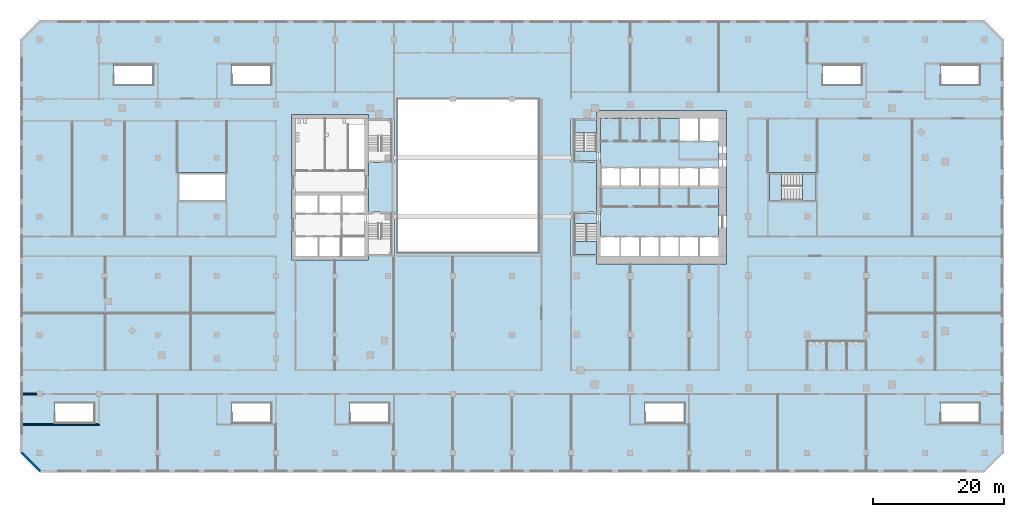
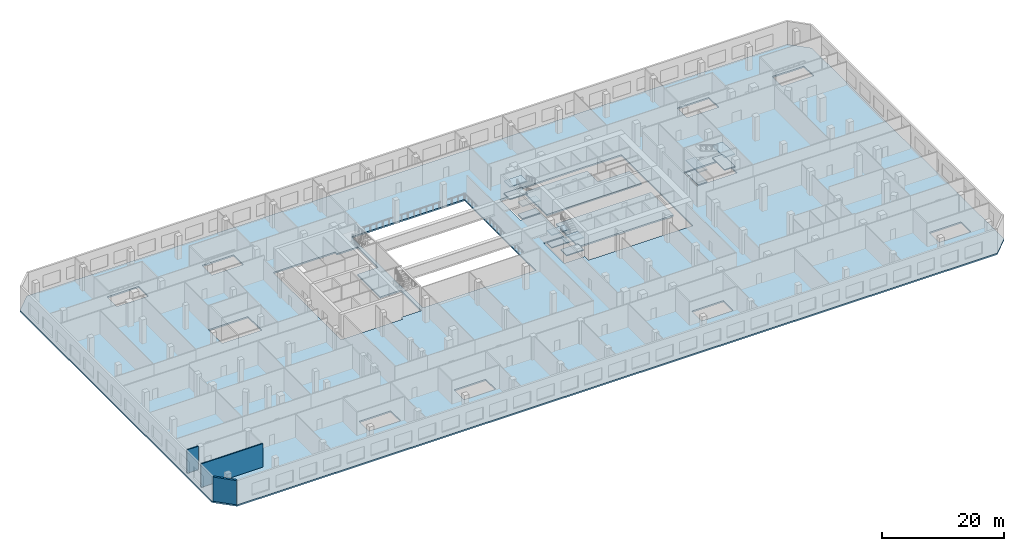
# One storey, part 3 of 20: 15 slabs, 3 walls, 3 elements without a shape of their own.
"""IFC4 building model written with IfcOpenShell, lengths in metres."""

import ifcopenshell
import ifcopenshell.guid

model = None  # the IFC model being written
_history = None  # IfcOwnerHistory: only IFC2X3 demands one
_inside = {}  # id of a spatial element -> (the spatial element, [elements in it])
_under = {}  # id of a project, library or spatial element -> (it, [spatial elements below it])
_declared = {}  # id of a project -> (the project, [libraries it declares])
_typed = {}  # id of a type object -> (the type object, [elements of that type])
_made_of = {}  # id of a material, layer set ... -> (it, [elements and type objects made of it])


def new_model(schema):
    """Start an empty IFC model of exactly this schema.

    Asked for "IFC4X3", IfcOpenShell would pick the latest addendum, in which some entities
    have other attributes; the version numbers below select the first issue.
    IFC2X3 requires an IfcOwnerHistory on every rooted entity: one is made here for all.
    """
    global model, _history
    if schema == "IFC4X3":
        model = ifcopenshell.file(schema_version=(4, 3, 0, 0))
    else:
        model = ifcopenshell.file(schema=schema)
    _inside.clear()
    _under.clear()
    _declared.clear()
    _typed.clear()
    _made_of.clear()
    _history = None
    if model.schema == "IFC2X3":
        org = make("IfcOrganization", Name="unknown")
        user = make(
            "IfcPersonAndOrganization",
            ThePerson=make("IfcPerson", FamilyName="unknown"),
            TheOrganization=org,
        )
        app = make(
            "IfcApplication",
            ApplicationDeveloper=org,
            Version="unknown",
            ApplicationFullName="unknown",
            ApplicationIdentifier="unknown",
        )
        _history = make(
            "IfcOwnerHistory",
            OwningUser=user,
            OwningApplication=app,
            ChangeAction="ADDED",
            CreationDate=0,
        )
    return model


def make(cls, **values):
    """One entity of the class cls with the attributes given. An attribute that is None is left unset."""
    return model.create_entity(
        cls, **{name: value for name, value in values.items() if value is not None}
    )


def rooted(cls, **values):
    """An entity with a GlobalId (a new one), such as an element, a storey or a relation."""
    return make(cls, GlobalId=ifcopenshell.guid.new(), OwnerHistory=_history, **values)


def si_unit(unit_type, name, prefix=None):
    """IfcSIUnit, for example si_unit("LENGTHUNIT", "METRE", prefix="MILLI")."""
    return make("IfcSIUnit", UnitType=unit_type, Prefix=prefix, Name=name)


def assignment(units):
    """IfcUnitAssignment: the units of a project."""
    return None if units is None else make("IfcUnitAssignment", Units=units)


def point(xyz):
    """IfcCartesianPoint."""
    return None if xyz is None else make("IfcCartesianPoint", Coordinates=xyz)


def direction(xyz):
    """IfcDirection."""
    return None if xyz is None else make("IfcDirection", DirectionRatios=xyz)


def frame(location, z_axis=None, x_axis=None):
    """IfcAxis2Placement3D, a coordinate frame: its origin and axes. An axis left out is left unset."""
    return make(
        "IfcAxis2Placement3D",
        Location=point(location),
        Axis=direction(z_axis),
        RefDirection=direction(x_axis),
    )


def frame_2d(location, x_axis=None):
    """IfcAxis2Placement2D, a coordinate frame in the plane: its origin and x axis."""
    return make(
        "IfcAxis2Placement2D", Location=point(location), RefDirection=direction(x_axis)
    )


def origin():
    """The frame at (0, 0, 0) with its axes left unset."""
    return frame((0.0, 0.0, 0.0))


def place(relative_to, where):
    """IfcLocalPlacement: puts the frame where relative to a parent placement (None: the world)."""
    return make(
        "IfcLocalPlacement", PlacementRelTo=relative_to, RelativePlacement=where
    )


def context(
    kind, dimensions, precision=None, world=None, true_north=None, identifier=None
):
    """IfcGeometricRepresentationContext, for example the 3D "Model" context."""
    return make(
        "IfcGeometricRepresentationContext",
        ContextIdentifier=identifier,
        ContextType=kind,
        CoordinateSpaceDimension=dimensions,
        Precision=precision,
        WorldCoordinateSystem=world,
        TrueNorth=true_north,
    )


def subcontext(parent, identifier, kind, view, scale=None):
    """IfcGeometricRepresentationSubContext, for example "Body" below "Model"."""
    return make(
        "IfcGeometricRepresentationSubContext",
        ContextIdentifier=identifier,
        ContextType=kind,
        ParentContext=parent,
        TargetScale=scale,
        TargetView=view,
    )


def project(units=None, contexts=None):
    """IfcProject with its units and contexts."""
    return rooted(
        "IfcProject",
        Name="project",
        RepresentationContexts=contexts,
        UnitsInContext=assignment(units),
    )


def spatial(cls, under=None, at=None, **own):
    """A site, building, storey or space (cls), placed at a placement, below another one or the project."""
    s = rooted(cls, ObjectPlacement=at, **own)
    if under is not None:
        _under.setdefault(under.id(), (under, []))[1].append(s)
    return s


def polyline(points):
    """IfcPolyline through the points."""
    return make("IfcPolyline", Points=[point(p) for p in points])


def profile(cls, at=None, kind="AREA", **sizes):
    """A parametric profile (cls). Its sizes go by their IFC names, for example OverallWidth=200.0."""
    return make(cls, ProfileType=kind, Position=at, **sizes)


def rectangle(**sizes):
    """IfcRectangleProfileDef."""
    return profile("IfcRectangleProfileDef", **sizes)


def outline(outer, holes=None, kind="AREA"):
    """IfcArbitraryClosedProfileDef: a profile drawn as a closed curve; with holes, ...WithVoids."""
    if holes is None:
        return make("IfcArbitraryClosedProfileDef", ProfileType=kind, OuterCurve=outer)
    return make(
        "IfcArbitraryProfileDefWithVoids",
        ProfileType=kind,
        OuterCurve=outer,
        InnerCurves=holes,
    )


def extrude(swept, where, along, depth):
    """IfcExtrudedAreaSolid: the profile swept, set in the frame where, extruded along a direction by depth."""
    return make(
        "IfcExtrudedAreaSolid",
        SweptArea=swept,
        Position=where,
        ExtrudedDirection=direction(along),
        Depth=depth,
    )


def shape(context_of_items, identifier, shape_type, items):
    """IfcShapeRepresentation: the items that make up one representation, for example the "Body"."""
    return make(
        "IfcShapeRepresentation",
        ContextOfItems=context_of_items,
        RepresentationIdentifier=identifier,
        RepresentationType=shape_type,
        Items=items,
    )


def material(Name=None, Category=None):
    """IfcMaterial."""
    return make("IfcMaterial", Name=Name, Category=Category)


def layer(
    of_material, thickness, ventilated=None, Name=None, Category=None, Priority=None
):
    """IfcMaterialLayer: one layer of a wall or slab, of a material (None: an air gap)."""
    return make(
        "IfcMaterialLayer",
        Material=of_material,
        LayerThickness=thickness,
        IsVentilated=ventilated,
        Name=Name,
        Category=Category,
        Priority=Priority,
    )


def layer_set(layers, Name=None):
    """IfcMaterialLayerSet."""
    return make("IfcMaterialLayerSet", MaterialLayers=layers, LayerSetName=Name)


def made_of(thing, what):
    """Note that an element or type object is made of a material, layer set ...; save() writes the relation."""
    if what is not None:
        _made_of.setdefault(what.id(), (what, []))[1].append(thing)
    return thing


def type_object(cls, material=None, **own):
    """A type object (cls), such as IfcWallType, which elements share."""
    return made_of(rooted(cls, **own), material)


def element(
    cls,
    number,
    at=None,
    inside=None,
    cuts=None,
    type_object=None,
    material=None,
    context=None,
    identifier="Body",
    shape_type=None,
    held_by="IfcProductDefinitionShape",
    body=None,
    shapes=None,
    **own,
):
    """One element of the class cls, such as IfcWall. Its Tag is "e" and its number.

    at: its placement. inside: the storey or other place that contains it. cuts: it is an
    opening in that element (IfcRelVoidsElement). A single representation is given by context,
    identifier, shape_type and body (its items); several are given by shapes. held_by: the class
    of the entity that holds the representations. save() writes the other relations.
    """
    e = rooted(cls, Tag="e%d" % number, ObjectPlacement=at, **own)
    if body is not None:
        shapes = [shape(context, identifier, shape_type, body)]
    if shapes is not None:
        e.Representation = make(held_by, Representations=shapes)
    if inside is not None:
        _inside.setdefault(inside.id(), (inside, []))[1].append(e)
    if cuts is not None:
        rooted(
            "IfcRelVoidsElement", RelatingBuildingElement=cuts, RelatedOpeningElement=e
        )
    if type_object is not None:
        _typed.setdefault(type_object.id(), (type_object, []))[1].append(e)
    return made_of(e, material)


def aggregate(whole, parts):
    """IfcRelAggregates: a whole, such as a stair, and the parts it consists of."""
    return rooted("IfcRelAggregates", RelatingObject=whole, RelatedObjects=parts)


def save(model, path):
    """Write the relations noted so far, then the file.

    IfcRelAggregates (storeys below a building ...), IfcRelContainedInSpatialStructure (elements
    in a storey), IfcRelDefinesByType, IfcRelAssociatesMaterial and IfcRelDeclares: one each for
    every whole, place, type object, material and project.
    """
    for whole, parts in _under.values():
        aggregate(whole, parts)
    for where, things in _inside.values():
        rooted(
            "IfcRelContainedInSpatialStructure",
            RelatedElements=things,
            RelatingStructure=where,
        )
    for kind, things in _typed.values():
        rooted("IfcRelDefinesByType", RelatedObjects=things, RelatingType=kind)
    for what, things in _made_of.values():
        rooted("IfcRelAssociatesMaterial", RelatedObjects=things, RelatingMaterial=what)
    for by, libraries in _declared.values():
        rooted("IfcRelDeclares", RelatingContext=by, RelatedDefinitions=libraries)
    model.write(path)


model = new_model("IFC4")

# Units and contexts
model_context = context("Model", 3, precision=1e-05, world=origin(), true_north=direction((0.0, 1.0)))
body_context = subcontext(model_context, "Body", "Model", "MODEL_VIEW")
ifc_project = project(units=[si_unit("LENGTHUNIT", "METRE"), si_unit("AREAUNIT", "SQUARE_METRE"), si_unit("VOLUMEUNIT", "CUBIC_METRE"), si_unit("PLANEANGLEUNIT", "RADIAN"), si_unit("MASSUNIT", "GRAM", prefix="KILO")], contexts=[model_context])

# Site, building, storey
site_placement = place(None, origin())
site = spatial("IfcSite", under=ifc_project, at=site_placement, CompositionType="ELEMENT")
building_placement = place(site_placement, origin())
building = spatial("IfcBuilding", under=site, at=building_placement, Name="Cinnabar Reach Civic Tower", CompositionType="ELEMENT")
storey_placement = place(building_placement, frame((0.0, 0.0, 21.0)))
storey = spatial("IfcBuildingStorey", under=building, at=storey_placement, Name="L04", CompositionType="ELEMENT", Elevation=21.0)

# Slab
ifc_material_1 = material(Name="Concrete C40", Category="concrete")
ifc_layer_1 = layer(ifc_material_1, 0.3)
ifc_layer_set_1 = layer_set([ifc_layer_1], Name="Podium flat plate 300 REI 150")
slab_type_1 = type_object("IfcSlabType", Name="Podium flat plate 300 REI 150", PredefinedType="FLOOR", material=ifc_layer_set_1)
slab_1_placement = place(storey_placement, frame((0.0, 0.0, -0.3)))
element("IfcSlab", 1, at=slab_1_placement, inside=storey, type_object=slab_type_1, Name="Podium flat plate 300 L04", PredefinedType="FLOOR", context=body_context, shape_type="SweptSolid", body=[
    extrude(outline(polyline([(-84.0, -9.0), (-84.0, 54.0), (-81.0, 57.0), (63.0, 57.0), (66.0, 54.0), (66.0, -9.0), (63.0, -12.0), (-81.0, -12.0), (-84.0, -9.0)]), holes=[polyline([(-78.7, -1.3), (-78.7, -4.5), (-72.7, -4.5), (-72.7, -1.3), (-78.7, -1.3)]), polyline([(-45.7, -1.3), (-51.7, -1.3), (-51.7, -4.5), (-45.7, -4.5), (-45.7, -1.3)]), polyline([(-27.7, -1.3), (-33.7, -1.3), (-33.7, -4.5), (-27.7, -4.5), (-27.7, -1.3)]), polyline([(-52.5, 33.75), (-60.0, 33.75), (-60.0, 29.25), (-52.5, 29.25), (-52.5, 33.75)]), polyline([(-42.6, 20.4), (-30.9, 20.4), (-30.9, 21.0), (-27.0, 21.0), (-27.0, 27.75), (-30.9, 27.75), (-30.9, 35.25), (-27.0, 35.25), (-27.0, 42.0), (-30.9, 42.0), (-30.9, 42.6), (-42.6, 42.6), (-42.6, 20.4)]), polyline([(-63.7, 50.2), (-69.7, 50.2), (-69.7, 47.0), (-63.7, 47.0), (-63.7, 50.2)]), polyline([(-45.7, 50.2), (-51.7, 50.2), (-51.7, 47.0), (-45.7, 47.0), (-45.7, 50.2)]), polyline([(11.3, -1.3), (11.3, -4.5), (17.3, -4.5), (17.3, -1.3), (11.3, -1.3)]), polyline([(62.3, -1.3), (56.3, -1.3), (56.3, -4.5), (62.3, -4.5), (62.3, -1.3)]), polyline([(3.9, 42.0), (0.0, 42.0), (0.0, 35.25), (3.9, 35.25), (3.9, 27.75), (0.0, 27.75), (0.0, 21.0), (3.9, 21.0), (3.9, 19.8), (23.7, 19.8), (23.7, 43.2), (3.9, 43.2), (3.9, 42.0)]), polyline([(37.5, 33.75), (30.0, 33.75), (30.0, 29.25), (37.5, 29.25), (37.5, 33.75)]), polyline([(-5.0, 45.0), (-26.4, 45.0), (-26.4, 21.6), (-5.0, 21.6), (-5.0, 45.0)]), polyline([(44.3, 47.0), (44.3, 50.2), (38.3, 50.2), (38.3, 47.0), (44.3, 47.0)]), polyline([(62.3, 47.0), (62.3, 50.2), (56.3, 50.2), (56.3, 47.0), (62.3, 47.0)])]), origin(), (0.0, 0.0, 1.0), 0.3),
])

# Stair, slabs
ifc_material_2 = material(Name="Concrete C40/50", Category="concrete")
stair_type = type_object("IfcStairType", Name="T1 Exit stair, double return", PredefinedType="DOUBLE_RETURN_STAIR", material=ifc_material_2)
stair_1_placement = place(storey_placement, origin())
stair_1 = element("IfcStair", 2, at=stair_1_placement, inside=storey, type_object=stair_type, Name="Stair T1-S1", PredefinedType="DOUBLE_RETURN_STAIR")
ifc_layer_2 = layer(ifc_material_2, 0.2)
ifc_layer_set_2 = layer_set([ifc_layer_2], Name="T1 Stair landing 200, Concrete C40/50")
slab_type_2 = type_object("IfcSlabType", Name="T1 Stair landing 200, Concrete C40/50", PredefinedType="LANDING", material=ifc_layer_set_2)
slab_2_placement = place(storey_placement, frame((0.0, 0.0, -0.2)))
slab_2 = element("IfcSlab", 3, at=slab_2_placement, type_object=slab_type_2, Name="T1-S1 landing 1", PredefinedType="LANDING", context=body_context, shape_type="SweptSolid", body=[
    extrude(outline(polyline([(3.9, 25.95), (3.9, 27.5), (0.5, 27.5), (0.5, 25.95), (3.9, 25.95)])), origin(), (0.0, 0.0, 1.0), 0.2),
])
slab_3_placement = place(storey_placement, frame((0.0, 0.0, 1.05)))
slab_3 = element("IfcSlab", 4, at=slab_3_placement, type_object=slab_type_2, Name="T1-S1 landing 2", PredefinedType="LANDING", context=body_context, shape_type="SweptSolid", body=[
    extrude(outline(polyline([(3.9, 21.25), (3.9, 23.205), (0.6, 23.205), (0.6, 21.25), (3.9, 21.25)])), origin(), (0.0, 0.0, 1.0), 0.2),
])
slab_4_placement = place(storey_placement, frame((0.0, 0.0, 2.3)))
slab_4 = element("IfcSlab", 5, at=slab_4_placement, type_object=slab_type_2, Name="T1-S1 landing 3", PredefinedType="LANDING", context=body_context, shape_type="SweptSolid", body=[
    extrude(outline(polyline([(3.9, 25.95), (3.9, 27.5), (0.5, 27.5), (0.5, 25.95), (3.9, 25.95)])), origin(), (0.0, 0.0, 1.0), 0.2),
])
slab_5_placement = place(storey_placement, frame((0.0, 0.0, 3.55)))
slab_5 = element("IfcSlab", 6, at=slab_5_placement, type_object=slab_type_2, Name="T1-S1 landing 4", PredefinedType="LANDING", context=body_context, shape_type="SweptSolid", body=[
    extrude(outline(polyline([(3.9, 21.25), (3.9, 23.205), (0.6, 23.205), (0.6, 21.25), (3.9, 21.25)])), origin(), (0.0, 0.0, 1.0), 0.2),
])
aggregate(stair_1, [slab_2, slab_3, slab_4, slab_5])

stair_2_placement = place(storey_placement, origin())
stair_2 = element("IfcStair", 7, at=stair_2_placement, inside=storey, type_object=stair_type, Name="Stair T1-S2", PredefinedType="DOUBLE_RETURN_STAIR")
slab_6_placement = place(storey_placement, frame((0.0, 0.0, -0.2)))
slab_6 = element("IfcSlab", 8, at=slab_6_placement, type_object=slab_type_2, Name="T1-S2 landing 1", PredefinedType="LANDING", context=body_context, shape_type="SweptSolid", body=[
    extrude(outline(polyline([(3.9, 35.5), (3.9, 37.05), (0.5, 37.05), (0.5, 35.5), (3.9, 35.5)])), origin(), (0.0, 0.0, 1.0), 0.2),
])
slab_7_placement = place(storey_placement, frame((0.0, 0.0, 1.05)))
slab_7 = element("IfcSlab", 9, at=slab_7_placement, type_object=slab_type_2, Name="T1-S2 landing 2", PredefinedType="LANDING", context=body_context, shape_type="SweptSolid", body=[
    extrude(outline(polyline([(3.9, 39.795), (3.9, 41.75), (0.6, 41.75), (0.6, 39.795), (3.9, 39.795)])), origin(), (0.0, 0.0, 1.0), 0.2),
])
slab_8_placement = place(storey_placement, frame((0.0, 0.0, 2.3)))
slab_8 = element("IfcSlab", 10, at=slab_8_placement, type_object=slab_type_2, Name="T1-S2 landing 3", PredefinedType="LANDING", context=body_context, shape_type="SweptSolid", body=[
    extrude(outline(polyline([(3.9, 35.5), (3.9, 37.05), (0.5, 37.05), (0.5, 35.5), (3.9, 35.5)])), origin(), (0.0, 0.0, 1.0), 0.2),
])
slab_9_placement = place(storey_placement, frame((0.0, 0.0, 3.55)))
slab_9 = element("IfcSlab", 11, at=slab_9_placement, type_object=slab_type_2, Name="T1-S2 landing 4", PredefinedType="LANDING", context=body_context, shape_type="SweptSolid", body=[
    extrude(outline(polyline([(3.9, 39.795), (3.9, 41.75), (0.6, 41.75), (0.6, 39.795), (3.9, 39.795)])), origin(), (0.0, 0.0, 1.0), 0.2),
])
aggregate(stair_2, [slab_6, slab_7, slab_8, slab_9])

stair_3_placement = place(storey_placement, origin())
stair_3 = element("IfcStair", 12, at=stair_3_placement, inside=storey, type_object=stair_type, Name="Stair T1-S3", PredefinedType="DOUBLE_RETURN_STAIR")
slab_10_placement = place(storey_placement, frame((0.0, 0.0, -0.2)))
slab_10 = element("IfcSlab", 13, at=slab_10_placement, type_object=slab_type_2, Name="T1-S3 landing 1", PredefinedType="LANDING", context=body_context, shape_type="SweptSolid", body=[
    extrude(outline(polyline([(30.25, 29.5), (32.05, 29.5), (32.05, 33.5), (30.25, 33.5), (30.25, 29.5)])), origin(), (0.0, 0.0, 1.0), 0.2),
])
slab_11_placement = place(storey_placement, frame((0.0, 0.0, 1.05)))
slab_11 = element("IfcSlab", 14, at=slab_11_placement, type_object=slab_type_2, Name="T1-S3 landing 2", PredefinedType="LANDING", context=body_context, shape_type="SweptSolid", body=[
    extrude(outline(polyline([(35.29, 29.5), (37.25, 29.5), (37.25, 33.5), (35.29, 33.5), (35.29, 29.5)])), origin(), (0.0, 0.0, 1.0), 0.2),
])
slab_12_placement = place(storey_placement, frame((0.0, 0.0, 2.3)))
slab_12 = element("IfcSlab", 15, at=slab_12_placement, type_object=slab_type_2, Name="T1-S3 landing 3", PredefinedType="LANDING", context=body_context, shape_type="SweptSolid", body=[
    extrude(outline(polyline([(30.25, 29.5), (32.05, 29.5), (32.05, 33.5), (30.25, 33.5), (30.25, 29.5)])), origin(), (0.0, 0.0, 1.0), 0.2),
])
slab_13_placement = place(storey_placement, frame((0.0, 0.0, 3.55)))
slab_13 = element("IfcSlab", 16, at=slab_13_placement, type_object=slab_type_2, Name="T1-S3 landing 4", PredefinedType="LANDING", context=body_context, shape_type="SweptSolid", body=[
    extrude(outline(polyline([(35.29, 29.5), (37.25, 29.5), (37.25, 33.5), (35.29, 33.5), (35.29, 29.5)])), origin(), (0.0, 0.0, 1.0), 0.2),
])
aggregate(stair_3, [slab_10, slab_11, slab_12, slab_13])

# Slabs
ifc_layer_3 = layer(ifc_material_2, 0.3)
ifc_layer_set_3 = layer_set([ifc_layer_3], Name="T1 core floor slab 300")
slab_type_3 = type_object("IfcSlabType", Name="T1 core floor slab 300", PredefinedType="FLOOR", material=ifc_layer_set_3)
slab_14_placement = place(storey_placement, frame((0.0, 0.0, -0.3)))
element("IfcSlab", 17, at=slab_14_placement, inside=storey, type_object=slab_type_3, Name="Core floor slab L04", PredefinedType="FLOOR", context=body_context, shape_type="SweptSolid", body=[
    extrude(outline(polyline([(22.5, 24.0), (19.5, 24.0), (16.5, 24.0), (13.5, 24.0), (10.5, 24.0), (7.5, 24.0), (4.5, 24.0), (4.5, 31.5), (7.5, 31.5), (10.5, 31.5), (13.5, 31.5), (16.5, 31.5), (19.5, 31.5), (22.5, 31.5), (22.5, 24.0)])), origin(), (0.0, 0.0, 1.0), 0.3),
])
slab_15_placement = place(storey_placement, frame((0.0, 0.0, -0.3)))
element("IfcSlab", 18, at=slab_15_placement, inside=storey, type_object=slab_type_3, Name="Core floor slab L04", PredefinedType="FLOOR", context=body_context, shape_type="SweptSolid", body=[
    extrude(outline(polyline([(22.5, 34.5), (19.5, 34.5), (16.5, 34.5), (13.5, 34.5), (10.5, 34.5), (7.5, 34.5), (4.5, 34.5), (4.5, 42.0), (16.5, 42.0), (16.5, 38.5), (19.5, 38.5), (22.5, 38.5), (22.5, 34.5)])), origin(), (0.0, 0.0, 1.0), 0.3),
])

# Walls
ifc_material_3 = material(Name="Facing brick with insulated backing", Category="masonry")
ifc_layer_4 = layer(ifc_material_3, 0.36)
ifc_layer_set_4 = layer_set([ifc_layer_4], Name="Brick corner wall")
wall_type_1 = type_object("IfcWallType", Name="Brick corner wall", PredefinedType="STANDARD", material=ifc_layer_set_4)
wall_1_placement = place(storey_placement, frame((-83.7843, -8.9611, 0.0), z_axis=(0.0, 0.0, 1.0), x_axis=(0.707106781187, -0.707106781187, 0.0)))
element("IfcWall", 19, at=wall_1_placement, inside=storey, type_object=wall_type_1, Name="Brick corner wall", PredefinedType="STANDARD", context=body_context, shape_type="SweptSolid", body=[
    extrude(rectangle(XDim=3.9926, YDim=0.36, at=frame_2d((1.9963, 0.0))), origin(), (0.0, 0.0, 1.0), 4.85),
])
ifc_layer_5 = layer(ifc_material_1, 0.2)
ifc_layer_set_5 = layer_set([ifc_layer_5], Name="Podium stair shaft wall 200 EI 120")
wall_type_2 = type_object("IfcWallType", Name="Podium stair shaft wall 200 EI 120", PredefinedType="SOLIDWALL", material=ifc_layer_set_5)
wall_2_placement = place(storey_placement, frame((-83.6, 0.0, 0.0), z_axis=(0.0, 0.0, 1.0), x_axis=(1.0, 0.0, 0.0)))
element("IfcWall", 20, at=wall_2_placement, inside=storey, type_object=wall_type_2, Name="Wall L04 1", PredefinedType="SOLIDWALL", context=body_context, shape_type="SweptSolid", body=[
    extrude(rectangle(XDim=2.13, YDim=0.2, at=frame_2d((1.065, 0.0))), origin(), (0.0, 0.0, 1.0), 4.7),
])
wall_3_placement = place(storey_placement, frame((-83.6, -4.65, 0.0), z_axis=(0.0, 0.0, 1.0), x_axis=(1.0, 0.0, 0.0)))
element("IfcWall", 21, at=wall_3_placement, inside=storey, type_object=wall_type_2, Name="Wall L04 4", PredefinedType="SOLIDWALL", context=body_context, shape_type="SweptSolid", body=[
    extrude(rectangle(XDim=11.7, YDim=0.2, at=frame_2d((5.85, 0.0))), origin(), (0.0, 0.0, 1.0), 4.7),
])

save(model, "model.ifc")
